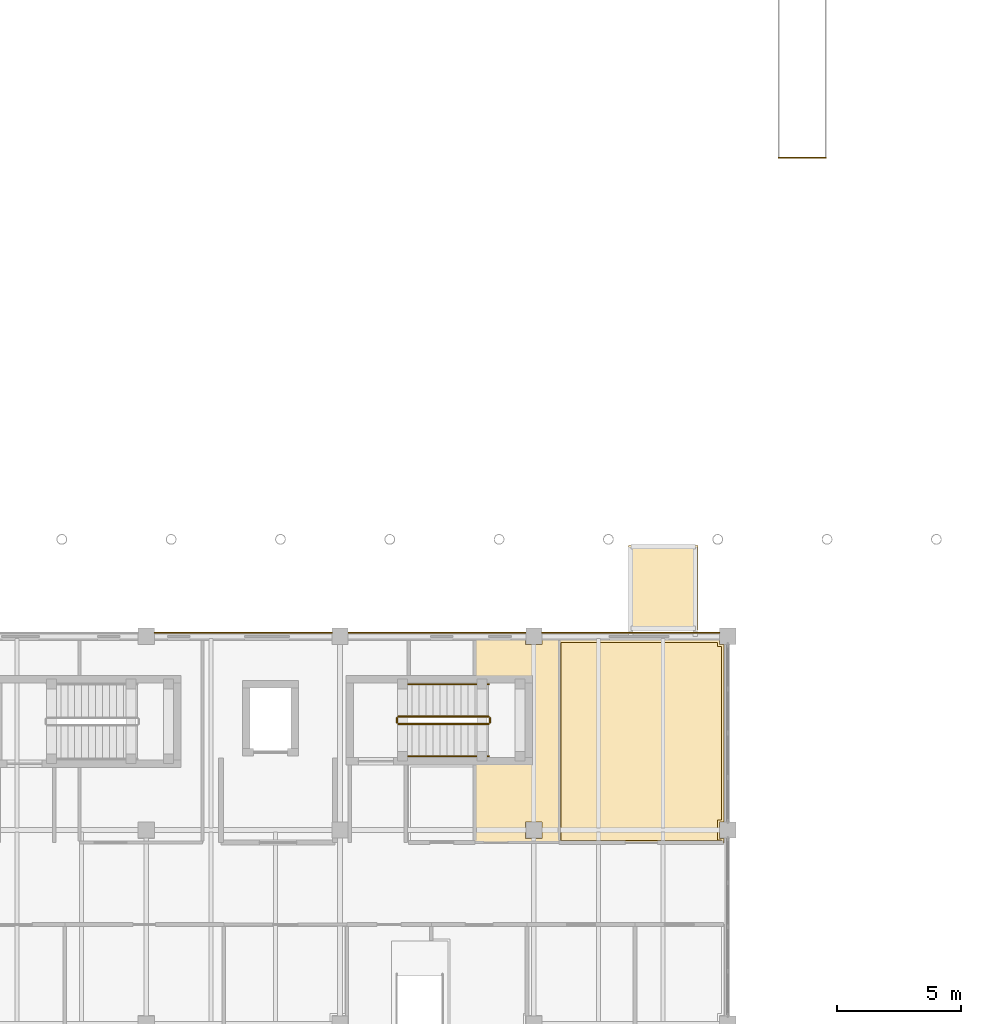
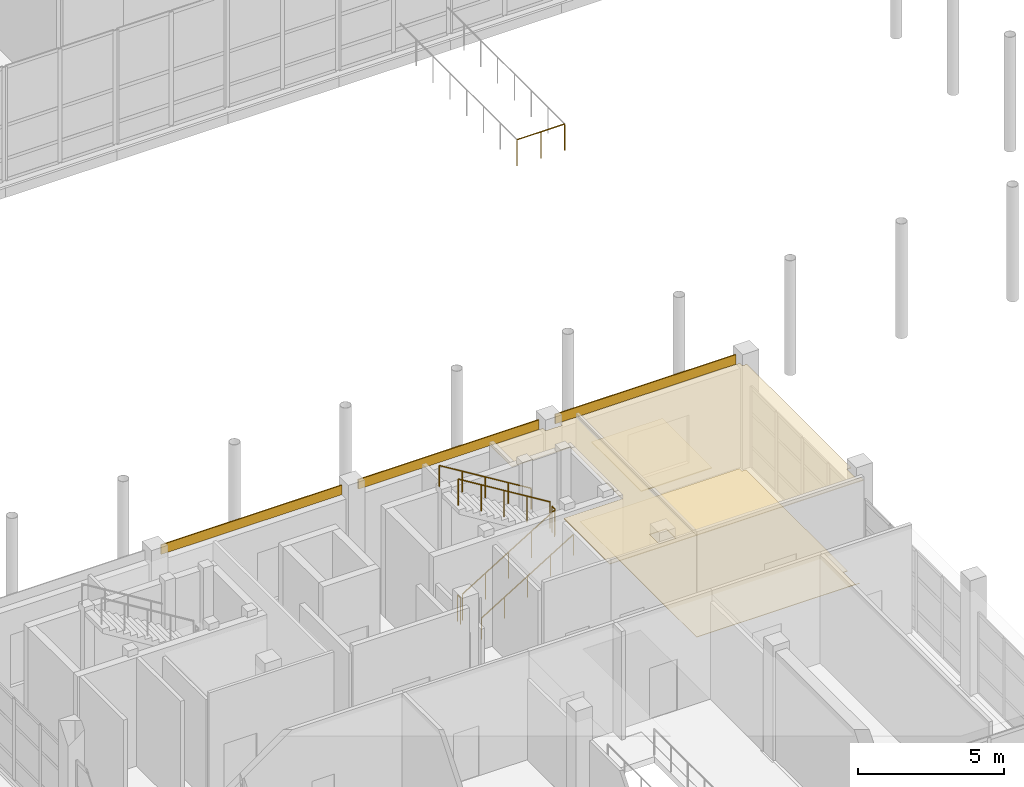
# One storey, part 126 of 138: 7 coverings, 7 railings.
"""IFC4 building model written with IfcOpenShell, lengths in metres."""

from ifc_helpers import new_model, si_unit, direction, frame, origin, origin_2d, place, context, subcontext, project, spatial, polyline, rectangle, circle, outline, extrude, material, layer, layer_set, type_object, element, save


model = new_model("IFC4")

# Units and contexts
model_context = context("Model", 3, precision=1e-05, world=origin(), true_north=direction((0.0, 1.0)))
body_context = subcontext(model_context, "Body", "Model", "MODEL_VIEW")
ifc_project = project(units=[si_unit("LENGTHUNIT", "METRE"), si_unit("AREAUNIT", "SQUARE_METRE"), si_unit("VOLUMEUNIT", "CUBIC_METRE"), si_unit("PLANEANGLEUNIT", "RADIAN"), si_unit("MASSUNIT", "GRAM", prefix="KILO")], contexts=[model_context])

# Site, building, storey
site_placement = place(None, origin())
site = spatial("IfcSite", under=ifc_project, at=site_placement, CompositionType="ELEMENT")
building_placement = place(site_placement, origin())
building = spatial("IfcBuilding", under=site, at=building_placement, Name="Celorna Specialist Clinic", CompositionType="ELEMENT")
storey_placement = place(building_placement, frame((0.0, 0.0, 4.800048828125)))
storey = spatial("IfcBuildingStorey", under=building, at=storey_placement, Name="L01", CompositionType="ELEMENT", Elevation=4.800048828125)

# Railing
ifc_material_1 = material(Name="Stainless steel and laminated glass balustrade", Category="steel")
railing_type_1 = type_object("IfcRailingType", Name="BL-01", PredefinedType="BALUSTRADE", material=ifc_material_1)
railing_1_placement = place(storey_placement, frame((87.85498046875, 62.159912109375, 0.0)))
element("IfcRailing", 1, at=railing_1_placement, inside=storey, type_object=railing_type_1, Name="Feature stair ST-15 upper well balustrade 2", PredefinedType="BALUSTRADE", context=body_context, shape_type="SweptSolid", body=[
    extrude(circle(Radius=0.02392578125, at=origin_2d()), frame((0.0, 0.0, 1.09619140625), z_axis=(1.0, 0.0, 0.0), x_axis=(0.0, 1.0, 0.0)), (0.0, 0.0, 1.0), 1.89013671875),
    extrude(circle(Radius=0.02099609375, at=origin_2d()), origin(), (0.0, 0.0, 1.0), 1.072021484375),
    extrude(circle(Radius=0.02099609375, at=origin_2d()), frame((0.945068359375, 0.0, 0.0)), (0.0, 0.0, 1.0), 1.072021484375),
    extrude(circle(Radius=0.02099609375, at=origin_2d()), frame((1.89013671875, 0.0, 0.0)), (0.0, 0.0, 1.0), 1.072021484375),
])

# Coverings
ifc_material_2 = material(Name="Hygienic acoustic mineral-fibre ceiling")
ifc_layer_1 = layer(ifc_material_2, 0.030029296875, Name="Hygienic acoustic mineral-fibre ceiling")
ifc_layer_set_1 = layer_set([ifc_layer_1], Name="Hygienic acoustic mineral-fibre ceiling")
covering_type_1 = type_object("IfcCoveringType", Name="CE-01", PredefinedType="CEILING", material=ifc_layer_set_1)
covering_1_placement = place(storey_placement, frame((0.0, 0.0, 4.329833984375)))
element("IfcCovering", 2, at=covering_1_placement, inside=storey, type_object=covering_type_1, Name="Acoustic ceiling L01-115", PredefinedType="CEILING", context=body_context, shape_type="SweptSolid", body=[
    extrude(outline(polyline([(79.034912109375, 42.7451171875), (79.034912109375, 34.5849609375), (75.60498046875, 34.5849609375), (75.60498046875, 37.735107421875), (77.925048828125, 37.735107421875), (77.925048828125, 41.304931640625), (75.60498046875, 41.304931640625), (75.60498046875, 42.7451171875), (77.669921875, 42.7451171875), (77.669921875, 42.570068359375), (78.330078125, 42.570068359375), (78.330078125, 42.7451171875), (79.034912109375, 42.7451171875)]), holes=[polyline([(78.330078125, 35.429931640625), (77.669921875, 35.429931640625), (77.669921875, 34.77001953125), (78.330078125, 34.77001953125), (78.330078125, 35.429931640625)])]), origin(), (0.0, 0.0, 1.0), 0.030029296875),
])
covering_2_placement = place(storey_placement, frame((0.0, 0.0, 4.329833984375)))
element("IfcCovering", 3, at=covering_2_placement, inside=storey, type_object=covering_type_1, Name="Acoustic ceiling L01-116", PredefinedType="CEILING", context=body_context, shape_type="SweptSolid", body=[
    extrude(outline(polyline([(85.469970703125, 42.7451171875), (85.469970703125, 42.570068359375), (85.64501953125, 42.570068359375), (85.64501953125, 35.429931640625), (85.469970703125, 35.429931640625), (85.469970703125, 34.77001953125), (85.64501953125, 34.77001953125), (85.64501953125, 34.5849609375), (79.0048828125, 34.5849609375), (79.0048828125, 42.7451171875), (85.469970703125, 42.7451171875)])), origin(), (0.0, 0.0, 1.0), 0.030029296875),
])
ifc_material_3 = material(Name="Pero Pinheiro Lioz limestone rainscreen cladding", Category="masonry")
ifc_layer_2 = layer(ifc_material_3, 0.044921875, Name="Pero Pinheiro Lioz limestone rainscreen cladding")
ifc_layer_set_2 = layer_set([ifc_layer_2], Name="Pero Pinheiro Lioz limestone rainscreen cladding")
covering_type_2 = type_object("IfcCoveringType", Name="CL-01", PredefinedType="CLADDING", material=ifc_layer_set_2)
for number, where, z_axis, x_axis, name in (
    (4, (66.300048828125, 43.047607421875, 4.139892578125), (0.0, 0.0, 1.0), (1.0, 0.0, 0.0), "Lioz spandrel cladding #388"),
    (5, (74.10009765625, 43.047607421875, 4.139892578125), (0.0, 0.0, 1.0), (1.0, 0.0, 0.0), "Lioz spandrel cladding #389"),
    (6, (81.89990234375, 43.047607421875, 4.139892578125), (0.0, 0.0, 1.0), (1.0, 0.0, 0.0), "Lioz spandrel cladding #390"),
):
    element("IfcCovering", number, at=place(storey_placement, frame(where, z_axis=z_axis, x_axis=x_axis)), inside=storey, type_object=covering_type_2, Name=name, PredefinedType="CLADDING", context=body_context, shape_type="SweptSolid", body=[
        extrude(rectangle(XDim=7.14990234375, YDim=0.044921875, at=origin_2d()), origin(), (0.0, 0.0, 1.0), 0.39990234375),
    ])
ifc_material_4 = material(Name="Seamless antimicrobial clinical vinyl and Lioz terrazzo flooring")
ifc_layer_3 = layer(ifc_material_4, 0.02001953125, Name="Seamless antimicrobial clinical vinyl and Lioz terrazzo flooring")
ifc_layer_set_3 = layer_set([ifc_layer_3], Name="Seamless antimicrobial clinical vinyl and Lioz terrazzo flooring")
covering_type_3 = type_object("IfcCoveringType", Name="FL-01", PredefinedType="FLOORING", material=ifc_layer_set_3)
covering_3_placement = place(storey_placement, origin())
element("IfcCovering", 7, at=covering_3_placement, inside=storey, type_object=covering_type_3, Name="Antimicrobial clinical flooring L01-116", PredefinedType="FLOORING", context=body_context, shape_type="SweptSolid", body=[
    extrude(outline(polyline([(79.094970703125, 42.655029296875), (85.389892578125, 42.655029296875), (85.389892578125, 42.489990234375), (85.554931640625, 42.489990234375), (85.554931640625, 35.510009765625), (85.389892578125, 35.510009765625), (85.389892578125, 34.68994140625), (85.554931640625, 34.68994140625), (85.554931640625, 34.675048828125), (79.094970703125, 34.675048828125), (79.094970703125, 42.655029296875)])), origin(), (0.0, 0.0, 1.0), 0.02001953125),
])

# Railings
ifc_material_5 = material(Name="Powder-coated steel S355", Category="steel")
railing_type_2 = type_object("IfcRailingType", Name="GR-01", PredefinedType="GUARDRAIL", material=ifc_material_5)
railing_2_placement = place(storey_placement, frame((72.5400390625, 39.3701171875, 0.17138671875)))
element("IfcRailing", 8, at=railing_2_placement, inside=storey, type_object=railing_type_2, Name="L01 ST-09 stair guard 1", PredefinedType="GUARDRAIL", context=body_context, shape_type="SweptSolid", body=[
    extrude(circle(Radius=0.02392578125, at=origin_2d()), frame((0.0, 0.0, 1.09619140625), z_axis=(0.852850264322, 0.0, 0.5221555579), x_axis=(0.0, 1.0, 0.0)), (0.0, 0.0, 1.0), 4.267822265625),
    extrude(circle(Radius=0.02099609375, at=origin_2d()), origin(), (0.0, 0.0, 1.0), 1.072021484375),
    extrude(circle(Radius=0.02099609375, at=origin_2d()), frame((0.909912109375, 0.0, 0.55712890625)), (0.0, 0.0, 1.0), 1.072021484375),
    extrude(circle(Radius=0.02099609375, at=origin_2d()), frame((1.81982421875, 0.0, 1.1142578125)), (0.0, 0.0, 1.0), 1.072021484375),
    extrude(circle(Radius=0.02099609375, at=origin_2d()), frame((2.72998046875, 0.0, 1.67138671875)), (0.0, 0.0, 1.0), 1.072021484375),
    extrude(circle(Radius=0.02099609375, at=origin_2d()), frame((3.639892578125, 0.0, 2.228515625)), (0.0, 0.0, 1.0), 1.072021484375),
])
railing_3_placement = place(storey_placement, frame((76.22998046875, 39.419921875, 2.39990234375)))
element("IfcRailing", 9, at=railing_3_placement, inside=storey, type_object=railing_type_2, Name="L01 ST-09 stair guard 2", PredefinedType="GUARDRAIL", context=body_context, shape_type="SweptSolid", body=[
    extrude(circle(Radius=0.02392578125, at=origin_2d()), frame((0.0, 0.0, 1.09619140625), z_axis=(0.0, 1.0, 0.0), x_axis=(-1.0, 0.0, 0.0)), (0.0, 0.0, 1.0), 0.2001953125),
    extrude(circle(Radius=0.02099609375, at=origin_2d()), origin(), (0.0, 0.0, 1.0), 1.072021484375),
    extrude(circle(Radius=0.02099609375, at=origin_2d()), frame((0.0, 0.2001953125, 0.0)), (0.0, 0.0, 1.0), 1.072021484375),
])
railing_4_placement = place(storey_placement, frame((76.179931640625, 39.669921875, 2.5712890625)))
element("IfcRailing", 10, at=railing_4_placement, inside=storey, type_object=railing_type_2, Name="L01 ST-09 stair guard 3", PredefinedType="GUARDRAIL", context=body_context, shape_type="SweptSolid", body=[
    extrude(circle(Radius=0.02392578125, at=origin_2d()), frame((0.0, 0.0, 1.09619140625), z_axis=(-0.852824790078, 0.0, 0.522197163366), x_axis=(0.0, -1.0, 0.0)), (0.0, 0.0, 1.0), 4.26806640625),
    extrude(circle(Radius=0.02099609375, at=origin_2d()), origin(), (0.0, 0.0, 1.0), 1.072021484375),
    extrude(circle(Radius=0.02099609375, at=origin_2d()), frame((-0.909912109375, 0.0, 0.55712890625)), (0.0, 0.0, 1.0), 1.072021484375),
    extrude(circle(Radius=0.02099609375, at=origin_2d()), frame((-1.81982421875, 0.0, 1.1142578125)), (0.0, 0.0, 1.0), 1.072021484375),
    extrude(circle(Radius=0.02099609375, at=origin_2d()), frame((-2.72998046875, 0.0, 1.671630859375)), (0.0, 0.0, 1.0), 1.072021484375),
    extrude(circle(Radius=0.02099609375, at=origin_2d()), frame((-3.639892578125, 0.0, 2.228759765625)), (0.0, 0.0, 1.0), 1.072021484375),
])
railing_5_placement = place(storey_placement, frame((72.489990234375, 39.419921875, 0.0)))
element("IfcRailing", 11, at=railing_5_placement, inside=storey, type_object=railing_type_2, Name="L01 ST-09 stair guard 4", PredefinedType="GUARDRAIL", context=body_context, shape_type="SweptSolid", body=[
    extrude(circle(Radius=0.02392578125, at=origin_2d()), frame((0.0, 0.0, 1.09619140625), z_axis=(0.0, 1.0, 0.0), x_axis=(-1.0, 0.0, 0.0)), (0.0, 0.0, 1.0), 0.2001953125),
    extrude(circle(Radius=0.02099609375, at=origin_2d()), origin(), (0.0, 0.0, 1.0), 1.072021484375),
    extrude(circle(Radius=0.02099609375, at=origin_2d()), frame((0.0, 0.2001953125, 0.0)), (0.0, 0.0, 1.0), 1.072021484375),
])
ifc_material_6 = material(Name="Brushed stainless steel handrail", Category="steel")
railing_type_3 = type_object("IfcRailingType", Name="HR-01", PredefinedType="HANDRAIL", material=ifc_material_6)
railing_6_placement = place(storey_placement, frame((72.5400390625, 38.070068359375, 0.17138671875)))
element("IfcRailing", 12, at=railing_6_placement, inside=storey, type_object=railing_type_3, Name="L01 ST-09 stair handrail 1", PredefinedType="HANDRAIL", context=body_context, shape_type="SweptSolid", body=[
    extrude(circle(Radius=0.02392578125, at=origin_2d()), frame((0.0, 0.0, 0.8759765625), z_axis=(0.852850264322, 0.0, 0.5221555579), x_axis=(0.0, 1.0, 0.0)), (0.0, 0.0, 1.0), 4.267822265625),
    extrude(circle(Radius=0.02099609375, at=origin_2d()), origin(), (0.0, 0.0, 1.0), 0.851806640625),
    extrude(circle(Radius=0.02099609375, at=origin_2d()), frame((0.909912109375, 0.0, 0.55712890625)), (0.0, 0.0, 1.0), 0.851806640625),
    extrude(circle(Radius=0.02099609375, at=origin_2d()), frame((1.81982421875, 0.0, 1.1142578125)), (0.0, 0.0, 1.0), 0.851806640625),
    extrude(circle(Radius=0.02099609375, at=origin_2d()), frame((2.72998046875, 0.0, 1.67138671875)), (0.0, 0.0, 1.0), 0.851806640625),
    extrude(circle(Radius=0.02099609375, at=origin_2d()), frame((3.639892578125, 0.0, 2.228515625)), (0.0, 0.0, 1.0), 0.851806640625),
])
railing_7_placement = place(storey_placement, frame((76.179931640625, 40.969970703125, 2.5712890625)))
element("IfcRailing", 13, at=railing_7_placement, inside=storey, type_object=railing_type_3, Name="L01 ST-09 stair handrail 2", PredefinedType="HANDRAIL", context=body_context, shape_type="SweptSolid", body=[
    extrude(circle(Radius=0.02392578125, at=origin_2d()), frame((0.0, 0.0, 0.8759765625), z_axis=(-0.852824790078, 0.0, 0.522197163366), x_axis=(0.0, -1.0, 0.0)), (0.0, 0.0, 1.0), 4.26806640625),
    extrude(circle(Radius=0.02099609375, at=origin_2d()), origin(), (0.0, 0.0, 1.0), 0.851806640625),
    extrude(circle(Radius=0.02099609375, at=origin_2d()), frame((-0.909912109375, 0.0, 0.55712890625)), (0.0, 0.0, 1.0), 0.851806640625),
    extrude(circle(Radius=0.02099609375, at=origin_2d()), frame((-1.81982421875, 0.0, 1.1142578125)), (0.0, 0.0, 1.0), 0.851806640625),
    extrude(circle(Radius=0.02099609375, at=origin_2d()), frame((-2.72998046875, 0.0, 1.671630859375)), (0.0, 0.0, 1.0), 0.851806640625),
    extrude(circle(Radius=0.02099609375, at=origin_2d()), frame((-3.639892578125, 0.0, 2.228759765625)), (0.0, 0.0, 1.0), 0.851806640625),
])

# Covering
ifc_material_7 = material(Name="Standing-seam zinc and EPDM acoustic roofing membrane")
ifc_layer_4 = layer(ifc_material_7, 0.0400390625, Name="Standing-seam zinc and EPDM acoustic roofing membrane")
ifc_layer_set_4 = layer_set([ifc_layer_4], Name="Standing-seam zinc and EPDM acoustic roofing membrane")
covering_type_4 = type_object("IfcCoveringType", Name="RFG-01", PredefinedType="ROOFING", material=ifc_layer_set_4)
covering_4_placement = place(storey_placement, origin())
element("IfcCovering", 14, at=covering_4_placement, inside=storey, type_object=covering_type_4, Name="Cloister bridge BR-03 standing-seam roofing", PredefinedType="ROOFING", context=body_context, shape_type="SweptSolid", body=[
    extrude(outline(polyline([(81.800048828125, 43.159912109375), (84.60009765625, 43.159912109375), (84.60009765625, 46.56005859375), (81.800048828125, 46.56005859375), (81.800048828125, 43.159912109375)])), origin(), (0.0, 0.0, 1.0), 0.0400390625),
])

save(model, "model.ifc")
